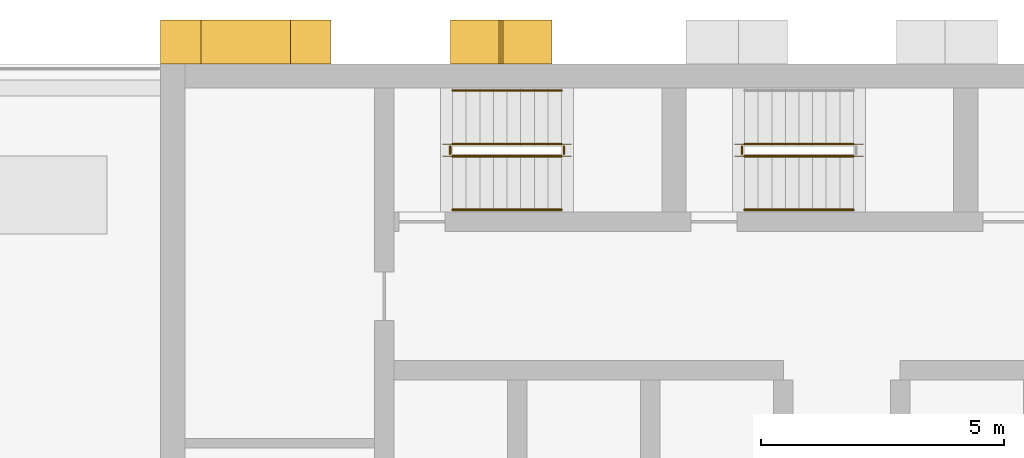
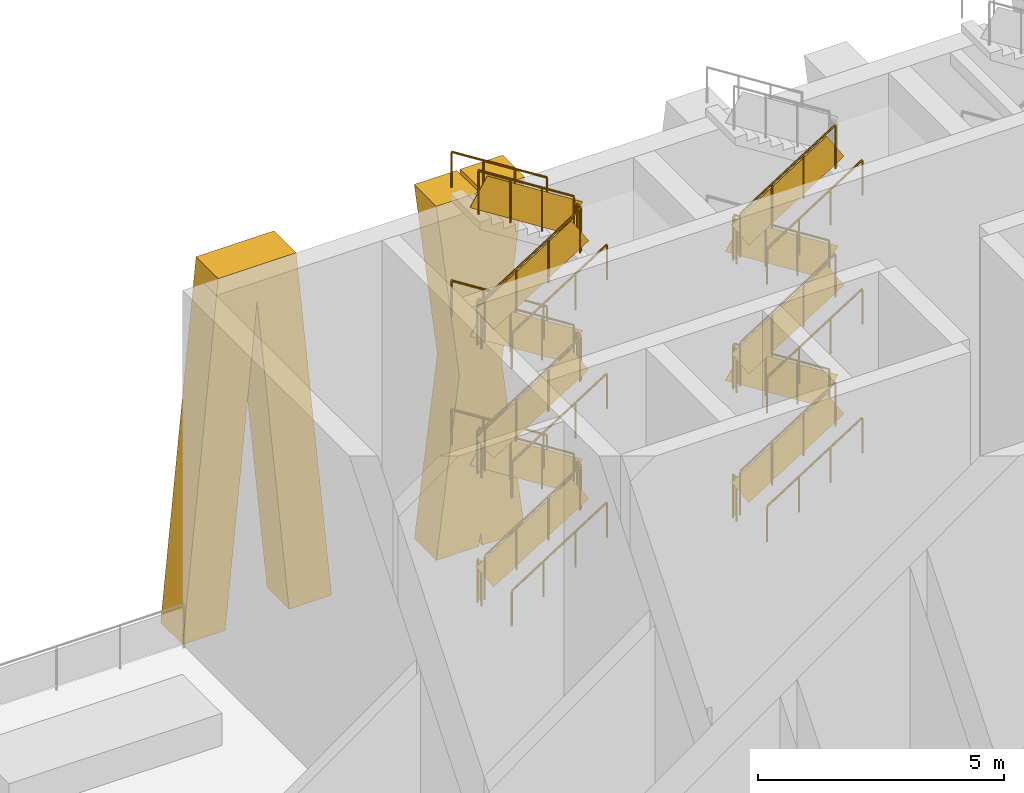
# One storey, part 7 of 9: 29 railings, 2 shading devices.
"""IFC4 building model written with IfcOpenShell, lengths in metres."""

import ifcopenshell
import ifcopenshell.guid

model = None  # the IFC model being written
_history = None  # IfcOwnerHistory: only IFC2X3 demands one
_inside = {}  # id of a spatial element -> (the spatial element, [elements in it])
_under = {}  # id of a project, library or spatial element -> (it, [spatial elements below it])
_declared = {}  # id of a project -> (the project, [libraries it declares])
_typed = {}  # id of a type object -> (the type object, [elements of that type])
_made_of = {}  # id of a material, layer set ... -> (it, [elements and type objects made of it])


def new_model(schema):
    """Start an empty IFC model of exactly this schema.

    Asked for "IFC4X3", IfcOpenShell would pick the latest addendum, in which some entities
    have other attributes; the version numbers below select the first issue.
    IFC2X3 requires an IfcOwnerHistory on every rooted entity: one is made here for all.
    """
    global model, _history
    if schema == "IFC4X3":
        model = ifcopenshell.file(schema_version=(4, 3, 0, 0))
    else:
        model = ifcopenshell.file(schema=schema)
    _inside.clear()
    _under.clear()
    _declared.clear()
    _typed.clear()
    _made_of.clear()
    _history = None
    if model.schema == "IFC2X3":
        org = make("IfcOrganization", Name="unknown")
        user = make(
            "IfcPersonAndOrganization",
            ThePerson=make("IfcPerson", FamilyName="unknown"),
            TheOrganization=org,
        )
        app = make(
            "IfcApplication",
            ApplicationDeveloper=org,
            Version="unknown",
            ApplicationFullName="unknown",
            ApplicationIdentifier="unknown",
        )
        _history = make(
            "IfcOwnerHistory",
            OwningUser=user,
            OwningApplication=app,
            ChangeAction="ADDED",
            CreationDate=0,
        )
    return model


def make(cls, **values):
    """One entity of the class cls with the attributes given. An attribute that is None is left unset."""
    return model.create_entity(
        cls, **{name: value for name, value in values.items() if value is not None}
    )


def rooted(cls, **values):
    """An entity with a GlobalId (a new one), such as an element, a storey or a relation."""
    return make(cls, GlobalId=ifcopenshell.guid.new(), OwnerHistory=_history, **values)


def si_unit(unit_type, name, prefix=None):
    """IfcSIUnit, for example si_unit("LENGTHUNIT", "METRE", prefix="MILLI")."""
    return make("IfcSIUnit", UnitType=unit_type, Prefix=prefix, Name=name)


def assignment(units):
    """IfcUnitAssignment: the units of a project."""
    return None if units is None else make("IfcUnitAssignment", Units=units)


def point(xyz):
    """IfcCartesianPoint."""
    return None if xyz is None else make("IfcCartesianPoint", Coordinates=xyz)


def direction(xyz):
    """IfcDirection."""
    return None if xyz is None else make("IfcDirection", DirectionRatios=xyz)


def frame(location, z_axis=None, x_axis=None):
    """IfcAxis2Placement3D, a coordinate frame: its origin and axes. An axis left out is left unset."""
    return make(
        "IfcAxis2Placement3D",
        Location=point(location),
        Axis=direction(z_axis),
        RefDirection=direction(x_axis),
    )


def frame_2d(location, x_axis=None):
    """IfcAxis2Placement2D, a coordinate frame in the plane: its origin and x axis."""
    return make(
        "IfcAxis2Placement2D", Location=point(location), RefDirection=direction(x_axis)
    )


def origin():
    """The frame at (0, 0, 0) with its axes left unset."""
    return frame((0.0, 0.0, 0.0))


def origin_2d():
    """The frame at (0, 0) in the plane with its x axis left unset."""
    return frame_2d((0.0, 0.0))


def place(relative_to, where):
    """IfcLocalPlacement: puts the frame where relative to a parent placement (None: the world)."""
    return make(
        "IfcLocalPlacement", PlacementRelTo=relative_to, RelativePlacement=where
    )


def context(
    kind, dimensions, precision=None, world=None, true_north=None, identifier=None
):
    """IfcGeometricRepresentationContext, for example the 3D "Model" context."""
    return make(
        "IfcGeometricRepresentationContext",
        ContextIdentifier=identifier,
        ContextType=kind,
        CoordinateSpaceDimension=dimensions,
        Precision=precision,
        WorldCoordinateSystem=world,
        TrueNorth=true_north,
    )


def subcontext(parent, identifier, kind, view, scale=None):
    """IfcGeometricRepresentationSubContext, for example "Body" below "Model"."""
    return make(
        "IfcGeometricRepresentationSubContext",
        ContextIdentifier=identifier,
        ContextType=kind,
        ParentContext=parent,
        TargetScale=scale,
        TargetView=view,
    )


def project(units=None, contexts=None):
    """IfcProject with its units and contexts."""
    return rooted(
        "IfcProject",
        Name="project",
        RepresentationContexts=contexts,
        UnitsInContext=assignment(units),
    )


def spatial(cls, under=None, at=None, **own):
    """A site, building, storey or space (cls), placed at a placement, below another one or the project."""
    s = rooted(cls, ObjectPlacement=at, **own)
    if under is not None:
        _under.setdefault(under.id(), (under, []))[1].append(s)
    return s


def polyline(points):
    """IfcPolyline through the points."""
    return make("IfcPolyline", Points=[point(p) for p in points])


def profile(cls, at=None, kind="AREA", **sizes):
    """A parametric profile (cls). Its sizes go by their IFC names, for example OverallWidth=200.0."""
    return make(cls, ProfileType=kind, Position=at, **sizes)


def rectangle(**sizes):
    """IfcRectangleProfileDef."""
    return profile("IfcRectangleProfileDef", **sizes)


def circle(**sizes):
    """IfcCircleProfileDef."""
    return profile("IfcCircleProfileDef", **sizes)


def outline(outer, holes=None, kind="AREA"):
    """IfcArbitraryClosedProfileDef: a profile drawn as a closed curve; with holes, ...WithVoids."""
    if holes is None:
        return make("IfcArbitraryClosedProfileDef", ProfileType=kind, OuterCurve=outer)
    return make(
        "IfcArbitraryProfileDefWithVoids",
        ProfileType=kind,
        OuterCurve=outer,
        InnerCurves=holes,
    )


def extrude(swept, where, along, depth):
    """IfcExtrudedAreaSolid: the profile swept, set in the frame where, extruded along a direction by depth."""
    return make(
        "IfcExtrudedAreaSolid",
        SweptArea=swept,
        Position=where,
        ExtrudedDirection=direction(along),
        Depth=depth,
    )


def shape(context_of_items, identifier, shape_type, items):
    """IfcShapeRepresentation: the items that make up one representation, for example the "Body"."""
    return make(
        "IfcShapeRepresentation",
        ContextOfItems=context_of_items,
        RepresentationIdentifier=identifier,
        RepresentationType=shape_type,
        Items=items,
    )


def material(Name=None, Category=None):
    """IfcMaterial."""
    return make("IfcMaterial", Name=Name, Category=Category)


def layer(
    of_material, thickness, ventilated=None, Name=None, Category=None, Priority=None
):
    """IfcMaterialLayer: one layer of a wall or slab, of a material (None: an air gap)."""
    return make(
        "IfcMaterialLayer",
        Material=of_material,
        LayerThickness=thickness,
        IsVentilated=ventilated,
        Name=Name,
        Category=Category,
        Priority=Priority,
    )


def layer_set(layers, Name=None):
    """IfcMaterialLayerSet."""
    return make("IfcMaterialLayerSet", MaterialLayers=layers, LayerSetName=Name)


def made_of(thing, what):
    """Note that an element or type object is made of a material, layer set ...; save() writes the relation."""
    if what is not None:
        _made_of.setdefault(what.id(), (what, []))[1].append(thing)
    return thing


def type_object(cls, material=None, **own):
    """A type object (cls), such as IfcWallType, which elements share."""
    return made_of(rooted(cls, **own), material)


def element(
    cls,
    number,
    at=None,
    inside=None,
    cuts=None,
    type_object=None,
    material=None,
    context=None,
    identifier="Body",
    shape_type=None,
    held_by="IfcProductDefinitionShape",
    body=None,
    shapes=None,
    **own,
):
    """One element of the class cls, such as IfcWall. Its Tag is "e" and its number.

    at: its placement. inside: the storey or other place that contains it. cuts: it is an
    opening in that element (IfcRelVoidsElement). A single representation is given by context,
    identifier, shape_type and body (its items); several are given by shapes. held_by: the class
    of the entity that holds the representations. save() writes the other relations.
    """
    e = rooted(cls, Tag="e%d" % number, ObjectPlacement=at, **own)
    if body is not None:
        shapes = [shape(context, identifier, shape_type, body)]
    if shapes is not None:
        e.Representation = make(held_by, Representations=shapes)
    if inside is not None:
        _inside.setdefault(inside.id(), (inside, []))[1].append(e)
    if cuts is not None:
        rooted(
            "IfcRelVoidsElement", RelatingBuildingElement=cuts, RelatedOpeningElement=e
        )
    if type_object is not None:
        _typed.setdefault(type_object.id(), (type_object, []))[1].append(e)
    return made_of(e, material)


def aggregate(whole, parts):
    """IfcRelAggregates: a whole, such as a stair, and the parts it consists of."""
    return rooted("IfcRelAggregates", RelatingObject=whole, RelatedObjects=parts)


def save(model, path):
    """Write the relations noted so far, then the file.

    IfcRelAggregates (storeys below a building ...), IfcRelContainedInSpatialStructure (elements
    in a storey), IfcRelDefinesByType, IfcRelAssociatesMaterial and IfcRelDeclares: one each for
    every whole, place, type object, material and project.
    """
    for whole, parts in _under.values():
        aggregate(whole, parts)
    for where, things in _inside.values():
        rooted(
            "IfcRelContainedInSpatialStructure",
            RelatedElements=things,
            RelatingStructure=where,
        )
    for kind, things in _typed.values():
        rooted("IfcRelDefinesByType", RelatedObjects=things, RelatingType=kind)
    for what, things in _made_of.values():
        rooted("IfcRelAssociatesMaterial", RelatedObjects=things, RelatingMaterial=what)
    for by, libraries in _declared.values():
        rooted("IfcRelDeclares", RelatingContext=by, RelatedDefinitions=libraries)
    model.write(path)


model = new_model("IFC4")

# Units and contexts
model_context = context("Model", 3, precision=1e-05, world=origin(), true_north=direction((0.0, 1.0)))
body_context = subcontext(model_context, "Body", "Model", "MODEL_VIEW")
ifc_project = project(units=[si_unit("LENGTHUNIT", "METRE"), si_unit("AREAUNIT", "SQUARE_METRE"), si_unit("VOLUMEUNIT", "CUBIC_METRE"), si_unit("PLANEANGLEUNIT", "RADIAN"), si_unit("MASSUNIT", "GRAM", prefix="KILO")], contexts=[model_context])

# Site, building, storey
site_placement = place(None, origin())
site = spatial("IfcSite", under=ifc_project, at=site_placement, CompositionType="ELEMENT")
building_placement = place(site_placement, origin())
building = spatial("IfcBuilding", under=site, at=building_placement, Name="Vidyagriha Tower", CompositionType="ELEMENT")
storey_placement = place(building_placement, frame((0.0, 0.0, 106.300048828125)))
storey = spatial("IfcBuildingStorey", under=building, at=storey_placement, Name="L28", CompositionType="ELEMENT", Elevation=106.300048828125)

# Shading devices
ifc_material_1 = material(Name="Precast concrete C40/50 with brick facing", Category="concrete")
ifc_layer = layer(ifc_material_1, 1.0)
ifc_layer_set = layer_set([ifc_layer], Name="Precast concrete C40/50 with brick facing")
shading_device_type = type_object("IfcShadingDeviceType", Name="Brick-faced rear rib forking 8 degrees", PredefinedType="USERDEFINED", material=ifc_layer_set)
shading_device_1_placement = place(storey_placement, frame((-5.9599609375, 20.449951171875, 0.0), z_axis=(0.0, 0.0, 1.0), x_axis=(-1.0, 0.0, 0.0)))
element("IfcShadingDevice", 1, at=shading_device_1_placement, inside=storey, type_object=shading_device_type, Name="Rear rib fork L28 R08.4a", ObjectType="BLADE FIN", PredefinedType="USERDEFINED", context=body_context, shape_type="SweptSolid", body=[
    extrude(outline(polyline([(1.0, 0.0), (1.0400390625, 0.325927734375), (1.080078125, 0.0), (2.080078125, 0.0), (1.5400390625, 4.39990234375), (2.080078125, 8.800048828125), (1.080078125, 8.800048828125), (1.0400390625, 8.47412109375), (1.0, 8.800048828125), (0.0, 8.800048828125), (0.5400390625, 4.39990234375), (0.0, 0.0), (1.0, 0.0)])), frame((0.0, 0.449951171875, 0.0), z_axis=(0.0, -1.0, 0.0), x_axis=(1.0, 0.0, 0.0)), (0.0, 0.0, 1.0), 0.89990234375),
])
shading_device_2_placement = place(storey_placement, frame((-10.5, 20.449951171875, 0.0), z_axis=(0.0, 0.0, 1.0), x_axis=(-1.0, 0.0, 0.0)))
element("IfcShadingDevice", 2, at=shading_device_2_placement, inside=storey, type_object=shading_device_type, Name="Rear rib fork L28 R08.5a", ObjectType="BLADE FIN", PredefinedType="USERDEFINED", context=body_context, shape_type="SweptSolid", body=[
    extrude(outline(polyline([(1.0, 0.0), (1.75, 7.919921875), (2.5, 0.0), (3.5, 0.0), (2.666748046875, 8.800048828125), (0.833251953125, 8.800048828125), (0.0, 0.0), (1.0, 0.0)])), frame((0.0, 0.449951171875, 0.0), z_axis=(0.0, -1.0, 0.0), x_axis=(1.0, 0.0, 0.0)), (0.0, 0.0, 1.0), 0.89990234375),
])

# Railings
ifc_material_2 = material(Name="Steel ASTM A500 Grade C", Category="steel")
railing_type_1 = type_object("IfcRailingType", Name="Stair guard 1100 mm, steel balustrade", PredefinedType="GUARDRAIL", material=ifc_material_2)
railing_1_placement = place(storey_placement, frame((-8.0, 18.10009765625, 0.177734375)))
element("IfcRailing", 3, at=railing_1_placement, inside=storey, type_object=railing_type_1, Name="L28 ST1 stair guard 1", PredefinedType="GUARDRAIL", context=body_context, shape_type="SweptSolid", body=[
    extrude(circle(Radius=0.02392578125, at=origin_2d()), frame((0.0, 0.0, 1.076171875), z_axis=(0.8442293374, 0.0, 0.53598211339), x_axis=(0.0, 1.0, 0.0)), (0.0, 0.0, 1.0), 2.6533203125),
    extrude(circle(Radius=0.02099609375, at=origin_2d()), origin(), (0.0, 0.0, 1.0), 1.052001953125),
    extrude(circle(Radius=0.02099609375, at=origin_2d()), frame((0.74658203125, 0.0, 0.47412109375)), (0.0, 0.0, 1.0), 1.052001953125),
    extrude(circle(Radius=0.02099609375, at=origin_2d()), frame((1.493408203125, 0.0, 0.947998046875)), (0.0, 0.0, 1.0), 1.052001953125),
    extrude(circle(Radius=0.02099609375, at=origin_2d()), frame((2.239990234375, 0.0, 1.422119140625)), (0.0, 0.0, 1.0), 1.052001953125),
    extrude(rectangle(XDim=0.010009765625, YDim=0.761474609375, at=origin_2d()), frame((0.0, 0.0, 0.551025390625), z_axis=(0.8442293374, 0.0, 0.53598211339), x_axis=(0.0, 1.0, 0.0)), (0.0, 0.0, 1.0), 2.6533203125),
])
railing_2_placement = place(storey_placement, frame((-5.7099609375, 18.14990234375, 1.599853515625)))
element("IfcRailing", 4, at=railing_2_placement, inside=storey, type_object=railing_type_1, Name="L28 ST1 stair guard 2", PredefinedType="GUARDRAIL", context=body_context, shape_type="SweptSolid", body=[
    extrude(circle(Radius=0.02392578125, at=origin_2d()), frame((0.0, 0.0, 1.076171875), z_axis=(0.0, 1.0, 0.0), x_axis=(-1.0, 0.0, 0.0)), (0.0, 0.0, 1.0), 0.150146484375),
    extrude(circle(Radius=0.02099609375, at=origin_2d()), origin(), (0.0, 0.0, 1.0), 1.052001953125),
    extrude(circle(Radius=0.02099609375, at=origin_2d()), frame((0.0, 0.150146484375, 0.0)), (0.0, 0.0, 1.0), 1.052001953125),
    extrude(rectangle(XDim=0.010009765625, YDim=0.902099609375, at=origin_2d()), frame((0.0, 0.0, 0.551025390625), z_axis=(0.0, 1.0, 0.0), x_axis=(-1.0, 0.0, 0.0)), (0.0, 0.0, 1.0), 0.150146484375),
])
railing_3_placement = place(storey_placement, frame((-5.760009765625, 18.35009765625, 1.77783203125)))
element("IfcRailing", 5, at=railing_3_placement, inside=storey, type_object=railing_type_1, Name="L28 ST1 stair guard 3", PredefinedType="GUARDRAIL", context=body_context, shape_type="SweptSolid", body=[
    extrude(circle(Radius=0.02392578125, at=origin_2d()), frame((0.0, 0.0, 1.076171875), z_axis=(-0.8442293374, 0.0, 0.53598211339), x_axis=(0.0, -1.0, 0.0)), (0.0, 0.0, 1.0), 2.6533203125),
    extrude(circle(Radius=0.02099609375, at=origin_2d()), origin(), (0.0, 0.0, 1.0), 1.052001953125),
    extrude(circle(Radius=0.02099609375, at=origin_2d()), frame((-0.74658203125, 0.0, 0.47412109375)), (0.0, 0.0, 1.0), 1.052001953125),
    extrude(circle(Radius=0.02099609375, at=origin_2d()), frame((-1.493408203125, 0.0, 0.947998046875)), (0.0, 0.0, 1.0), 1.052001953125),
    extrude(circle(Radius=0.02099609375, at=origin_2d()), frame((-2.239990234375, 0.0, 1.422119140625)), (0.0, 0.0, 1.0), 1.052001953125),
    extrude(rectangle(XDim=0.010009765625, YDim=0.761474609375, at=origin_2d()), frame((0.0, 0.0, 0.551025390625), z_axis=(-0.8442293374, 0.0, 0.53598211339), x_axis=(0.0, -1.0, 0.0)), (0.0, 0.0, 1.0), 2.6533203125),
])
railing_4_placement = place(storey_placement, frame((-8.050048828125, 18.14990234375, 3.199951171875)))
element("IfcRailing", 6, at=railing_4_placement, inside=storey, type_object=railing_type_1, Name="L28 ST1 stair guard 4", PredefinedType="GUARDRAIL", context=body_context, shape_type="SweptSolid", body=[
    extrude(circle(Radius=0.02392578125, at=origin_2d()), frame((0.0, 0.0, 1.076171875), z_axis=(0.0, 1.0, 0.0), x_axis=(-1.0, 0.0, 0.0)), (0.0, 0.0, 1.0), 0.150146484375),
    extrude(circle(Radius=0.02099609375, at=origin_2d()), origin(), (0.0, 0.0, 1.0), 1.052001953125),
    extrude(circle(Radius=0.02099609375, at=origin_2d()), frame((0.0, 0.150146484375, 0.0)), (0.0, 0.0, 1.0), 1.052001953125),
    extrude(rectangle(XDim=0.010009765625, YDim=0.902099609375, at=origin_2d()), frame((0.0, 0.0, 0.551025390625), z_axis=(0.0, 1.0, 0.0), x_axis=(-1.0, 0.0, 0.0)), (0.0, 0.0, 1.0), 0.150146484375),
])
railing_5_placement = place(storey_placement, frame((-8.0, 18.10009765625, 3.377685546875)))
element("IfcRailing", 7, at=railing_5_placement, inside=storey, type_object=railing_type_1, Name="L28 ST1 stair guard 5", PredefinedType="GUARDRAIL", context=body_context, shape_type="SweptSolid", body=[
    extrude(circle(Radius=0.02392578125, at=origin_2d()), frame((0.0, 0.0, 1.076171875), z_axis=(0.84418770128, 0.0, 0.536047689118), x_axis=(0.0, 1.0, 0.0)), (0.0, 0.0, 1.0), 2.6533203125),
    extrude(circle(Radius=0.02099609375, at=origin_2d()), origin(), (0.0, 0.0, 1.0), 1.052001953125),
    extrude(circle(Radius=0.02099609375, at=origin_2d()), frame((0.74658203125, 0.0, 0.47412109375)), (0.0, 0.0, 1.0), 1.052001953125),
    extrude(circle(Radius=0.02099609375, at=origin_2d()), frame((1.493408203125, 0.0, 0.9482421875)), (0.0, 0.0, 1.0), 1.052001953125),
    extrude(circle(Radius=0.02099609375, at=origin_2d()), frame((2.239990234375, 0.0, 1.42236328125)), (0.0, 0.0, 1.0), 1.052001953125),
    extrude(rectangle(XDim=0.010009765625, YDim=0.761474609375, at=origin_2d()), frame((0.0, 0.0, 0.551025390625), z_axis=(0.84418770128, 0.0, 0.536047689118), x_axis=(0.0, 1.0, 0.0)), (0.0, 0.0, 1.0), 2.6533203125),
])
railing_6_placement = place(storey_placement, frame((-5.7099609375, 18.14990234375, 4.800048828125)))
element("IfcRailing", 8, at=railing_6_placement, inside=storey, type_object=railing_type_1, Name="L28 ST1 stair guard 6", PredefinedType="GUARDRAIL", context=body_context, shape_type="SweptSolid", body=[
    extrude(circle(Radius=0.02392578125, at=origin_2d()), frame((0.0, 0.0, 1.076171875), z_axis=(0.0, 1.0, 0.0), x_axis=(-1.0, 0.0, 0.0)), (0.0, 0.0, 1.0), 0.150146484375),
    extrude(circle(Radius=0.02099609375, at=origin_2d()), origin(), (0.0, 0.0, 1.0), 1.052001953125),
    extrude(circle(Radius=0.02099609375, at=origin_2d()), frame((0.0, 0.150146484375, 0.0)), (0.0, 0.0, 1.0), 1.052001953125),
    extrude(rectangle(XDim=0.010009765625, YDim=0.902099609375, at=origin_2d()), frame((0.0, 0.0, 0.551025390625), z_axis=(0.0, 1.0, 0.0), x_axis=(-1.0, 0.0, 0.0)), (0.0, 0.0, 1.0), 0.150146484375),
])
railing_7_placement = place(storey_placement, frame((-5.760009765625, 18.35009765625, 4.977783203125)))
element("IfcRailing", 9, at=railing_7_placement, inside=storey, type_object=railing_type_1, Name="L28 ST1 stair guard 7", PredefinedType="GUARDRAIL", context=body_context, shape_type="SweptSolid", body=[
    extrude(circle(Radius=0.02392578125, at=origin_2d()), frame((0.0, 0.0, 1.076171875), z_axis=(-0.8442293374, 0.0, 0.53598211339), x_axis=(0.0, -1.0, 0.0)), (0.0, 0.0, 1.0), 2.6533203125),
    extrude(circle(Radius=0.02099609375, at=origin_2d()), origin(), (0.0, 0.0, 1.0), 1.052001953125),
    extrude(circle(Radius=0.02099609375, at=origin_2d()), frame((-0.74658203125, 0.0, 0.47412109375)), (0.0, 0.0, 1.0), 1.052001953125),
    extrude(circle(Radius=0.02099609375, at=origin_2d()), frame((-1.493408203125, 0.0, 0.947998046875)), (0.0, 0.0, 1.0), 1.052001953125),
    extrude(circle(Radius=0.02099609375, at=origin_2d()), frame((-2.239990234375, 0.0, 1.422119140625)), (0.0, 0.0, 1.0), 1.052001953125),
    extrude(rectangle(XDim=0.010009765625, YDim=0.761474609375, at=origin_2d()), frame((0.0, 0.0, 0.551025390625), z_axis=(-0.8442293374, 0.0, 0.53598211339), x_axis=(0.0, -1.0, 0.0)), (0.0, 0.0, 1.0), 2.6533203125),
])
railing_8_placement = place(storey_placement, frame((-8.050048828125, 18.14990234375, 6.39990234375)))
element("IfcRailing", 10, at=railing_8_placement, inside=storey, type_object=railing_type_1, Name="L28 ST1 stair guard 8", PredefinedType="GUARDRAIL", context=body_context, shape_type="SweptSolid", body=[
    extrude(circle(Radius=0.02392578125, at=origin_2d()), frame((0.0, 0.0, 1.076171875), z_axis=(0.0, 1.0, 0.0), x_axis=(-1.0, 0.0, 0.0)), (0.0, 0.0, 1.0), 0.150146484375),
    extrude(circle(Radius=0.02099609375, at=origin_2d()), origin(), (0.0, 0.0, 1.0), 1.052001953125),
    extrude(circle(Radius=0.02099609375, at=origin_2d()), frame((0.0, 0.150146484375, 0.0)), (0.0, 0.0, 1.0), 1.052001953125),
    extrude(rectangle(XDim=0.010009765625, YDim=0.902099609375, at=origin_2d()), frame((0.0, 0.0, 0.551025390625), z_axis=(0.0, 1.0, 0.0), x_axis=(-1.0, 0.0, 0.0)), (0.0, 0.0, 1.0), 0.150146484375),
])
railing_9_placement = place(storey_placement, frame((-8.0, 18.10009765625, 6.57763671875)))
element("IfcRailing", 11, at=railing_9_placement, inside=storey, type_object=railing_type_1, Name="L28 ST1 stair guard 9", PredefinedType="GUARDRAIL", context=body_context, shape_type="SweptSolid", body=[
    extrude(circle(Radius=0.02392578125, at=origin_2d()), frame((0.0, 0.0, 1.076171875), z_axis=(0.84418770128, 0.0, 0.536047689118), x_axis=(0.0, 1.0, 0.0)), (0.0, 0.0, 1.0), 2.6533203125),
    extrude(circle(Radius=0.02099609375, at=origin_2d()), origin(), (0.0, 0.0, 1.0), 1.052001953125),
    extrude(circle(Radius=0.02099609375, at=origin_2d()), frame((0.74658203125, 0.0, 0.47412109375)), (0.0, 0.0, 1.0), 1.052001953125),
    extrude(circle(Radius=0.02099609375, at=origin_2d()), frame((1.493408203125, 0.0, 0.9482421875)), (0.0, 0.0, 1.0), 1.052001953125),
    extrude(circle(Radius=0.02099609375, at=origin_2d()), frame((2.239990234375, 0.0, 1.42236328125)), (0.0, 0.0, 1.0), 1.052001953125),
    extrude(rectangle(XDim=0.010009765625, YDim=0.761474609375, at=origin_2d()), frame((0.0, 0.0, 0.551025390625), z_axis=(0.84418770128, 0.0, 0.536047689118), x_axis=(0.0, 1.0, 0.0)), (0.0, 0.0, 1.0), 2.6533203125),
])
railing_10_placement = place(storey_placement, frame((-5.7099609375, 18.14990234375, 8.0)))
element("IfcRailing", 12, at=railing_10_placement, inside=storey, type_object=railing_type_1, Name="L28 ST1 stair guard 10", PredefinedType="GUARDRAIL", context=body_context, shape_type="SweptSolid", body=[
    extrude(circle(Radius=0.02392578125, at=origin_2d()), frame((0.0, 0.0, 1.076171875), z_axis=(0.0, 1.0, 0.0), x_axis=(-1.0, 0.0, 0.0)), (0.0, 0.0, 1.0), 0.150146484375),
    extrude(circle(Radius=0.02099609375, at=origin_2d()), origin(), (0.0, 0.0, 1.0), 1.052001953125),
    extrude(circle(Radius=0.02099609375, at=origin_2d()), frame((0.0, 0.150146484375, 0.0)), (0.0, 0.0, 1.0), 1.052001953125),
    extrude(rectangle(XDim=0.010009765625, YDim=0.902099609375, at=origin_2d()), frame((0.0, 0.0, 0.551025390625), z_axis=(0.0, 1.0, 0.0), x_axis=(-1.0, 0.0, 0.0)), (0.0, 0.0, 1.0), 0.150146484375),
])
railing_11_placement = place(storey_placement, frame((-5.760009765625, 18.35009765625, 8.177734375)))
element("IfcRailing", 13, at=railing_11_placement, inside=storey, type_object=railing_type_1, Name="L28 ST1 stair guard 11", PredefinedType="GUARDRAIL", context=body_context, shape_type="SweptSolid", body=[
    extrude(circle(Radius=0.02392578125, at=origin_2d()), frame((0.0, 0.0, 1.076171875), z_axis=(-0.8442293374, 0.0, 0.53598211339), x_axis=(0.0, -1.0, 0.0)), (0.0, 0.0, 1.0), 2.6533203125),
    extrude(circle(Radius=0.02099609375, at=origin_2d()), origin(), (0.0, 0.0, 1.0), 1.052001953125),
    extrude(circle(Radius=0.02099609375, at=origin_2d()), frame((-0.74658203125, 0.0, 0.47412109375)), (0.0, 0.0, 1.0), 1.052001953125),
    extrude(circle(Radius=0.02099609375, at=origin_2d()), frame((-1.493408203125, 0.0, 0.947998046875)), (0.0, 0.0, 1.0), 1.052001953125),
    extrude(circle(Radius=0.02099609375, at=origin_2d()), frame((-2.239990234375, 0.0, 1.422119140625)), (0.0, 0.0, 1.0), 1.052001953125),
    extrude(rectangle(XDim=0.010009765625, YDim=0.761474609375, at=origin_2d()), frame((0.0, 0.0, 0.551025390625), z_axis=(-0.8442293374, 0.0, 0.53598211339), x_axis=(0.0, -1.0, 0.0)), (0.0, 0.0, 1.0), 2.6533203125),
])
railing_12_placement = place(storey_placement, frame((-8.050048828125, 18.14990234375, 0.0)))
element("IfcRailing", 14, at=railing_12_placement, inside=storey, type_object=railing_type_1, Name="L28 ST1 stair guard 12", PredefinedType="GUARDRAIL", context=body_context, shape_type="SweptSolid", body=[
    extrude(circle(Radius=0.02392578125, at=origin_2d()), frame((0.0, 0.0, 1.076171875), z_axis=(0.0, 1.0, 0.0), x_axis=(-1.0, 0.0, 0.0)), (0.0, 0.0, 1.0), 0.150146484375),
    extrude(circle(Radius=0.02099609375, at=origin_2d()), origin(), (0.0, 0.0, 1.0), 1.052001953125),
    extrude(circle(Radius=0.02099609375, at=origin_2d()), frame((0.0, 0.150146484375, 0.0)), (0.0, 0.0, 1.0), 1.052001953125),
    extrude(rectangle(XDim=0.010009765625, YDim=0.902099609375, at=origin_2d()), frame((0.0, 0.0, 0.551025390625), z_axis=(0.0, 1.0, 0.0), x_axis=(-1.0, 0.0, 0.0)), (0.0, 0.0, 1.0), 0.150146484375),
])
railing_13_placement = place(storey_placement, frame((-2.0, 18.10009765625, 0.177734375)))
element("IfcRailing", 15, at=railing_13_placement, inside=storey, type_object=railing_type_1, Name="L28 ST2 stair guard 1", PredefinedType="GUARDRAIL", context=body_context, shape_type="SweptSolid", body=[
    extrude(circle(Radius=0.02392578125, at=origin_2d()), frame((0.0, 0.0, 1.076171875), z_axis=(0.8442293374, 0.0, 0.53598211339), x_axis=(0.0, 1.0, 0.0)), (0.0, 0.0, 1.0), 2.6533203125),
    extrude(circle(Radius=0.02099609375, at=origin_2d()), origin(), (0.0, 0.0, 1.0), 1.052001953125),
    extrude(circle(Radius=0.02099609375, at=origin_2d()), frame((0.74658203125, 0.0, 0.47412109375)), (0.0, 0.0, 1.0), 1.052001953125),
    extrude(circle(Radius=0.02099609375, at=origin_2d()), frame((1.493408203125, 0.0, 0.947998046875)), (0.0, 0.0, 1.0), 1.052001953125),
    extrude(circle(Radius=0.02099609375, at=origin_2d()), frame((2.239990234375, 0.0, 1.422119140625)), (0.0, 0.0, 1.0), 1.052001953125),
    extrude(rectangle(XDim=0.010009765625, YDim=0.761474609375, at=origin_2d()), frame((0.0, 0.0, 0.551025390625), z_axis=(0.8442293374, 0.0, 0.53598211339), x_axis=(0.0, 1.0, 0.0)), (0.0, 0.0, 1.0), 2.6533203125),
])
railing_14_placement = place(storey_placement, frame((0.239990234375, 18.35009765625, 1.77783203125)))
element("IfcRailing", 16, at=railing_14_placement, inside=storey, type_object=railing_type_1, Name="L28 ST2 stair guard 3", PredefinedType="GUARDRAIL", context=body_context, shape_type="SweptSolid", body=[
    extrude(circle(Radius=0.02392578125, at=origin_2d()), frame((0.0, 0.0, 1.076171875), z_axis=(-0.8442293374, 0.0, 0.53598211339), x_axis=(0.0, -1.0, 0.0)), (0.0, 0.0, 1.0), 2.6533203125),
    extrude(circle(Radius=0.02099609375, at=origin_2d()), origin(), (0.0, 0.0, 1.0), 1.052001953125),
    extrude(circle(Radius=0.02099609375, at=origin_2d()), frame((-0.74658203125, 0.0, 0.47412109375)), (0.0, 0.0, 1.0), 1.052001953125),
    extrude(circle(Radius=0.02099609375, at=origin_2d()), frame((-1.493408203125, 0.0, 0.947998046875)), (0.0, 0.0, 1.0), 1.052001953125),
    extrude(circle(Radius=0.02099609375, at=origin_2d()), frame((-2.239990234375, 0.0, 1.422119140625)), (0.0, 0.0, 1.0), 1.052001953125),
    extrude(rectangle(XDim=0.010009765625, YDim=0.761474609375, at=origin_2d()), frame((0.0, 0.0, 0.551025390625), z_axis=(-0.8442293374, 0.0, 0.53598211339), x_axis=(0.0, -1.0, 0.0)), (0.0, 0.0, 1.0), 2.6533203125),
])
railing_15_placement = place(storey_placement, frame((-2.050048828125, 18.14990234375, 3.199951171875)))
element("IfcRailing", 17, at=railing_15_placement, inside=storey, type_object=railing_type_1, Name="L28 ST2 stair guard 4", PredefinedType="GUARDRAIL", context=body_context, shape_type="SweptSolid", body=[
    extrude(circle(Radius=0.02392578125, at=origin_2d()), frame((0.0, 0.0, 1.076171875), z_axis=(0.0, 1.0, 0.0), x_axis=(-1.0, 0.0, 0.0)), (0.0, 0.0, 1.0), 0.150146484375),
    extrude(circle(Radius=0.02099609375, at=origin_2d()), origin(), (0.0, 0.0, 1.0), 1.052001953125),
    extrude(circle(Radius=0.02099609375, at=origin_2d()), frame((0.0, 0.150146484375, 0.0)), (0.0, 0.0, 1.0), 1.052001953125),
    extrude(rectangle(XDim=0.010009765625, YDim=0.902099609375, at=origin_2d()), frame((0.0, 0.0, 0.551025390625), z_axis=(0.0, 1.0, 0.0), x_axis=(-1.0, 0.0, 0.0)), (0.0, 0.0, 1.0), 0.150146484375),
])
railing_16_placement = place(storey_placement, frame((-2.0, 18.10009765625, 3.377685546875)))
element("IfcRailing", 18, at=railing_16_placement, inside=storey, type_object=railing_type_1, Name="L28 ST2 stair guard 5", PredefinedType="GUARDRAIL", context=body_context, shape_type="SweptSolid", body=[
    extrude(circle(Radius=0.02392578125, at=origin_2d()), frame((0.0, 0.0, 1.076171875), z_axis=(0.84418770128, 0.0, 0.536047689118), x_axis=(0.0, 1.0, 0.0)), (0.0, 0.0, 1.0), 2.6533203125),
    extrude(circle(Radius=0.02099609375, at=origin_2d()), origin(), (0.0, 0.0, 1.0), 1.052001953125),
    extrude(circle(Radius=0.02099609375, at=origin_2d()), frame((0.74658203125, 0.0, 0.47412109375)), (0.0, 0.0, 1.0), 1.052001953125),
    extrude(circle(Radius=0.02099609375, at=origin_2d()), frame((1.493408203125, 0.0, 0.9482421875)), (0.0, 0.0, 1.0), 1.052001953125),
    extrude(circle(Radius=0.02099609375, at=origin_2d()), frame((2.239990234375, 0.0, 1.42236328125)), (0.0, 0.0, 1.0), 1.052001953125),
    extrude(rectangle(XDim=0.010009765625, YDim=0.761474609375, at=origin_2d()), frame((0.0, 0.0, 0.551025390625), z_axis=(0.84418770128, 0.0, 0.536047689118), x_axis=(0.0, 1.0, 0.0)), (0.0, 0.0, 1.0), 2.6533203125),
])
railing_17_placement = place(storey_placement, frame((0.239990234375, 18.35009765625, 4.977783203125)))
element("IfcRailing", 19, at=railing_17_placement, inside=storey, type_object=railing_type_1, Name="L28 ST2 stair guard 7", PredefinedType="GUARDRAIL", context=body_context, shape_type="SweptSolid", body=[
    extrude(circle(Radius=0.02392578125, at=origin_2d()), frame((0.0, 0.0, 1.076171875), z_axis=(-0.8442293374, 0.0, 0.53598211339), x_axis=(0.0, -1.0, 0.0)), (0.0, 0.0, 1.0), 2.6533203125),
    extrude(circle(Radius=0.02099609375, at=origin_2d()), origin(), (0.0, 0.0, 1.0), 1.052001953125),
    extrude(circle(Radius=0.02099609375, at=origin_2d()), frame((-0.74658203125, 0.0, 0.47412109375)), (0.0, 0.0, 1.0), 1.052001953125),
    extrude(circle(Radius=0.02099609375, at=origin_2d()), frame((-1.493408203125, 0.0, 0.947998046875)), (0.0, 0.0, 1.0), 1.052001953125),
    extrude(circle(Radius=0.02099609375, at=origin_2d()), frame((-2.239990234375, 0.0, 1.422119140625)), (0.0, 0.0, 1.0), 1.052001953125),
    extrude(rectangle(XDim=0.010009765625, YDim=0.761474609375, at=origin_2d()), frame((0.0, 0.0, 0.551025390625), z_axis=(-0.8442293374, 0.0, 0.53598211339), x_axis=(0.0, -1.0, 0.0)), (0.0, 0.0, 1.0), 2.6533203125),
])
railing_18_placement = place(storey_placement, frame((-2.050048828125, 18.14990234375, 6.39990234375)))
element("IfcRailing", 20, at=railing_18_placement, inside=storey, type_object=railing_type_1, Name="L28 ST2 stair guard 8", PredefinedType="GUARDRAIL", context=body_context, shape_type="SweptSolid", body=[
    extrude(circle(Radius=0.02392578125, at=origin_2d()), frame((0.0, 0.0, 1.076171875), z_axis=(0.0, 1.0, 0.0), x_axis=(-1.0, 0.0, 0.0)), (0.0, 0.0, 1.0), 0.150146484375),
    extrude(circle(Radius=0.02099609375, at=origin_2d()), origin(), (0.0, 0.0, 1.0), 1.052001953125),
    extrude(circle(Radius=0.02099609375, at=origin_2d()), frame((0.0, 0.150146484375, 0.0)), (0.0, 0.0, 1.0), 1.052001953125),
    extrude(rectangle(XDim=0.010009765625, YDim=0.902099609375, at=origin_2d()), frame((0.0, 0.0, 0.551025390625), z_axis=(0.0, 1.0, 0.0), x_axis=(-1.0, 0.0, 0.0)), (0.0, 0.0, 1.0), 0.150146484375),
])
railing_19_placement = place(storey_placement, frame((-2.0, 18.10009765625, 6.57763671875)))
element("IfcRailing", 21, at=railing_19_placement, inside=storey, type_object=railing_type_1, Name="L28 ST2 stair guard 9", PredefinedType="GUARDRAIL", context=body_context, shape_type="SweptSolid", body=[
    extrude(circle(Radius=0.02392578125, at=origin_2d()), frame((0.0, 0.0, 1.076171875), z_axis=(0.84418770128, 0.0, 0.536047689118), x_axis=(0.0, 1.0, 0.0)), (0.0, 0.0, 1.0), 2.6533203125),
    extrude(circle(Radius=0.02099609375, at=origin_2d()), origin(), (0.0, 0.0, 1.0), 1.052001953125),
    extrude(circle(Radius=0.02099609375, at=origin_2d()), frame((0.74658203125, 0.0, 0.47412109375)), (0.0, 0.0, 1.0), 1.052001953125),
    extrude(circle(Radius=0.02099609375, at=origin_2d()), frame((1.493408203125, 0.0, 0.9482421875)), (0.0, 0.0, 1.0), 1.052001953125),
    extrude(circle(Radius=0.02099609375, at=origin_2d()), frame((2.239990234375, 0.0, 1.42236328125)), (0.0, 0.0, 1.0), 1.052001953125),
    extrude(rectangle(XDim=0.010009765625, YDim=0.761474609375, at=origin_2d()), frame((0.0, 0.0, 0.551025390625), z_axis=(0.84418770128, 0.0, 0.536047689118), x_axis=(0.0, 1.0, 0.0)), (0.0, 0.0, 1.0), 2.6533203125),
])
railing_20_placement = place(storey_placement, frame((-2.050048828125, 18.14990234375, 0.0)))
element("IfcRailing", 22, at=railing_20_placement, inside=storey, type_object=railing_type_1, Name="L28 ST2 stair guard 12", PredefinedType="GUARDRAIL", context=body_context, shape_type="SweptSolid", body=[
    extrude(circle(Radius=0.02392578125, at=origin_2d()), frame((0.0, 0.0, 1.076171875), z_axis=(0.0, 1.0, 0.0), x_axis=(-1.0, 0.0, 0.0)), (0.0, 0.0, 1.0), 0.150146484375),
    extrude(circle(Radius=0.02099609375, at=origin_2d()), origin(), (0.0, 0.0, 1.0), 1.052001953125),
    extrude(circle(Radius=0.02099609375, at=origin_2d()), frame((0.0, 0.150146484375, 0.0)), (0.0, 0.0, 1.0), 1.052001953125),
    extrude(rectangle(XDim=0.010009765625, YDim=0.902099609375, at=origin_2d()), frame((0.0, 0.0, 0.551025390625), z_axis=(0.0, 1.0, 0.0), x_axis=(-1.0, 0.0, 0.0)), (0.0, 0.0, 1.0), 0.150146484375),
])
ifc_material_3 = material(Name="Steel ASTM A500 Grade C", Category="steel")
railing_type_2 = type_object("IfcRailingType", Name="Stair handrail 900 mm, steel", PredefinedType="HANDRAIL", material=ifc_material_3)
railing_21_placement = place(storey_placement, frame((-8.0, 17.0, 0.177734375)))
element("IfcRailing", 23, at=railing_21_placement, inside=storey, type_object=railing_type_2, Name="L28 ST1 stair handrail 1", PredefinedType="HANDRAIL", context=body_context, shape_type="SweptSolid", body=[
    extrude(circle(Radius=0.02392578125, at=origin_2d()), frame((0.0, 0.0, 0.8759765625), z_axis=(0.8442293374, 0.0, 0.53598211339), x_axis=(0.0, 1.0, 0.0)), (0.0, 0.0, 1.0), 2.6533203125),
    extrude(circle(Radius=0.02099609375, at=origin_2d()), origin(), (0.0, 0.0, 1.0), 0.851806640625),
    extrude(circle(Radius=0.02099609375, at=origin_2d()), frame((0.74658203125, 0.0, 0.47412109375)), (0.0, 0.0, 1.0), 0.851806640625),
    extrude(circle(Radius=0.02099609375, at=origin_2d()), frame((1.493408203125, 0.0, 0.947998046875)), (0.0, 0.0, 1.0), 0.851806640625),
    extrude(circle(Radius=0.02099609375, at=origin_2d()), frame((2.239990234375, 0.0, 1.422119140625)), (0.0, 0.0, 1.0), 0.851806640625),
])
railing_22_placement = place(storey_placement, frame((-5.760009765625, 19.449951171875, 1.77783203125)))
element("IfcRailing", 24, at=railing_22_placement, inside=storey, type_object=railing_type_2, Name="L28 ST1 stair handrail 2", PredefinedType="HANDRAIL", context=body_context, shape_type="SweptSolid", body=[
    extrude(circle(Radius=0.02392578125, at=origin_2d()), frame((0.0, 0.0, 0.8759765625), z_axis=(-0.8442293374, 0.0, 0.53598211339), x_axis=(0.0, -1.0, 0.0)), (0.0, 0.0, 1.0), 2.6533203125),
    extrude(circle(Radius=0.02099609375, at=origin_2d()), origin(), (0.0, 0.0, 1.0), 0.851806640625),
    extrude(circle(Radius=0.02099609375, at=origin_2d()), frame((-0.74658203125, 0.0, 0.47412109375)), (0.0, 0.0, 1.0), 0.851806640625),
    extrude(circle(Radius=0.02099609375, at=origin_2d()), frame((-1.493408203125, 0.0, 0.947998046875)), (0.0, 0.0, 1.0), 0.851806640625),
    extrude(circle(Radius=0.02099609375, at=origin_2d()), frame((-2.239990234375, 0.0, 1.422119140625)), (0.0, 0.0, 1.0), 0.851806640625),
])
railing_23_placement = place(storey_placement, frame((-8.0, 17.0, 3.377685546875)))
element("IfcRailing", 25, at=railing_23_placement, inside=storey, type_object=railing_type_2, Name="L28 ST1 stair handrail 3", PredefinedType="HANDRAIL", context=body_context, shape_type="SweptSolid", body=[
    extrude(circle(Radius=0.02392578125, at=origin_2d()), frame((0.0, 0.0, 0.8759765625), z_axis=(0.84418770128, 0.0, 0.536047689118), x_axis=(0.0, 1.0, 0.0)), (0.0, 0.0, 1.0), 2.6533203125),
    extrude(circle(Radius=0.02099609375, at=origin_2d()), origin(), (0.0, 0.0, 1.0), 0.851806640625),
    extrude(circle(Radius=0.02099609375, at=origin_2d()), frame((0.74658203125, 0.0, 0.47412109375)), (0.0, 0.0, 1.0), 0.851806640625),
    extrude(circle(Radius=0.02099609375, at=origin_2d()), frame((1.493408203125, 0.0, 0.9482421875)), (0.0, 0.0, 1.0), 0.851806640625),
    extrude(circle(Radius=0.02099609375, at=origin_2d()), frame((2.239990234375, 0.0, 1.42236328125)), (0.0, 0.0, 1.0), 0.851806640625),
])
railing_24_placement = place(storey_placement, frame((-5.760009765625, 19.449951171875, 4.977783203125)))
element("IfcRailing", 26, at=railing_24_placement, inside=storey, type_object=railing_type_2, Name="L28 ST1 stair handrail 4", PredefinedType="HANDRAIL", context=body_context, shape_type="SweptSolid", body=[
    extrude(circle(Radius=0.02392578125, at=origin_2d()), frame((0.0, 0.0, 0.8759765625), z_axis=(-0.8442293374, 0.0, 0.53598211339), x_axis=(0.0, -1.0, 0.0)), (0.0, 0.0, 1.0), 2.6533203125),
    extrude(circle(Radius=0.02099609375, at=origin_2d()), origin(), (0.0, 0.0, 1.0), 0.851806640625),
    extrude(circle(Radius=0.02099609375, at=origin_2d()), frame((-0.74658203125, 0.0, 0.47412109375)), (0.0, 0.0, 1.0), 0.851806640625),
    extrude(circle(Radius=0.02099609375, at=origin_2d()), frame((-1.493408203125, 0.0, 0.947998046875)), (0.0, 0.0, 1.0), 0.851806640625),
    extrude(circle(Radius=0.02099609375, at=origin_2d()), frame((-2.239990234375, 0.0, 1.422119140625)), (0.0, 0.0, 1.0), 0.851806640625),
])
railing_25_placement = place(storey_placement, frame((-8.0, 17.0, 6.57763671875)))
element("IfcRailing", 27, at=railing_25_placement, inside=storey, type_object=railing_type_2, Name="L28 ST1 stair handrail 5", PredefinedType="HANDRAIL", context=body_context, shape_type="SweptSolid", body=[
    extrude(circle(Radius=0.02392578125, at=origin_2d()), frame((0.0, 0.0, 0.8759765625), z_axis=(0.84418770128, 0.0, 0.536047689118), x_axis=(0.0, 1.0, 0.0)), (0.0, 0.0, 1.0), 2.6533203125),
    extrude(circle(Radius=0.02099609375, at=origin_2d()), origin(), (0.0, 0.0, 1.0), 0.851806640625),
    extrude(circle(Radius=0.02099609375, at=origin_2d()), frame((0.74658203125, 0.0, 0.47412109375)), (0.0, 0.0, 1.0), 0.851806640625),
    extrude(circle(Radius=0.02099609375, at=origin_2d()), frame((1.493408203125, 0.0, 0.9482421875)), (0.0, 0.0, 1.0), 0.851806640625),
    extrude(circle(Radius=0.02099609375, at=origin_2d()), frame((2.239990234375, 0.0, 1.42236328125)), (0.0, 0.0, 1.0), 0.851806640625),
])
railing_26_placement = place(storey_placement, frame((-5.760009765625, 19.449951171875, 8.177734375)))
element("IfcRailing", 28, at=railing_26_placement, inside=storey, type_object=railing_type_2, Name="L28 ST1 stair handrail 6", PredefinedType="HANDRAIL", context=body_context, shape_type="SweptSolid", body=[
    extrude(circle(Radius=0.02392578125, at=origin_2d()), frame((0.0, 0.0, 0.8759765625), z_axis=(-0.8442293374, 0.0, 0.53598211339), x_axis=(0.0, -1.0, 0.0)), (0.0, 0.0, 1.0), 2.6533203125),
    extrude(circle(Radius=0.02099609375, at=origin_2d()), origin(), (0.0, 0.0, 1.0), 0.851806640625),
    extrude(circle(Radius=0.02099609375, at=origin_2d()), frame((-0.74658203125, 0.0, 0.47412109375)), (0.0, 0.0, 1.0), 0.851806640625),
    extrude(circle(Radius=0.02099609375, at=origin_2d()), frame((-1.493408203125, 0.0, 0.947998046875)), (0.0, 0.0, 1.0), 0.851806640625),
    extrude(circle(Radius=0.02099609375, at=origin_2d()), frame((-2.239990234375, 0.0, 1.422119140625)), (0.0, 0.0, 1.0), 0.851806640625),
])
railing_27_placement = place(storey_placement, frame((-2.0, 17.0, 0.177734375)))
element("IfcRailing", 29, at=railing_27_placement, inside=storey, type_object=railing_type_2, Name="L28 ST2 stair handrail 1", PredefinedType="HANDRAIL", context=body_context, shape_type="SweptSolid", body=[
    extrude(circle(Radius=0.02392578125, at=origin_2d()), frame((0.0, 0.0, 0.8759765625), z_axis=(0.8442293374, 0.0, 0.53598211339), x_axis=(0.0, 1.0, 0.0)), (0.0, 0.0, 1.0), 2.6533203125),
    extrude(circle(Radius=0.02099609375, at=origin_2d()), origin(), (0.0, 0.0, 1.0), 0.851806640625),
    extrude(circle(Radius=0.02099609375, at=origin_2d()), frame((0.74658203125, 0.0, 0.47412109375)), (0.0, 0.0, 1.0), 0.851806640625),
    extrude(circle(Radius=0.02099609375, at=origin_2d()), frame((1.493408203125, 0.0, 0.947998046875)), (0.0, 0.0, 1.0), 0.851806640625),
    extrude(circle(Radius=0.02099609375, at=origin_2d()), frame((2.239990234375, 0.0, 1.422119140625)), (0.0, 0.0, 1.0), 0.851806640625),
])
for number, where, name in (
    (30, (-2.0, 17.0, 3.377685546875), "L28 ST2 stair handrail 3"),
    (31, (-2.0, 17.0, 6.57763671875), "L28 ST2 stair handrail 5"),
):
    element("IfcRailing", number, at=place(storey_placement, frame(where)), inside=storey, type_object=railing_type_2, Name=name, PredefinedType="HANDRAIL", context=body_context, shape_type="SweptSolid", body=[
        extrude(circle(Radius=0.02392578125, at=origin_2d()), frame((0.0, 0.0, 0.8759765625), z_axis=(0.84418770128, 0.0, 0.536047689118), x_axis=(0.0, 1.0, 0.0)), (0.0, 0.0, 1.0), 2.6533203125),
        extrude(circle(Radius=0.02099609375, at=origin_2d()), origin(), (0.0, 0.0, 1.0), 0.851806640625),
        extrude(circle(Radius=0.02099609375, at=origin_2d()), frame((0.74658203125, 0.0, 0.47412109375)), (0.0, 0.0, 1.0), 0.851806640625),
        extrude(circle(Radius=0.02099609375, at=origin_2d()), frame((1.493408203125, 0.0, 0.9482421875)), (0.0, 0.0, 1.0), 0.851806640625),
        extrude(circle(Radius=0.02099609375, at=origin_2d()), frame((2.239990234375, 0.0, 1.42236328125)), (0.0, 0.0, 1.0), 0.851806640625),
    ])

save(model, "model.ifc")
